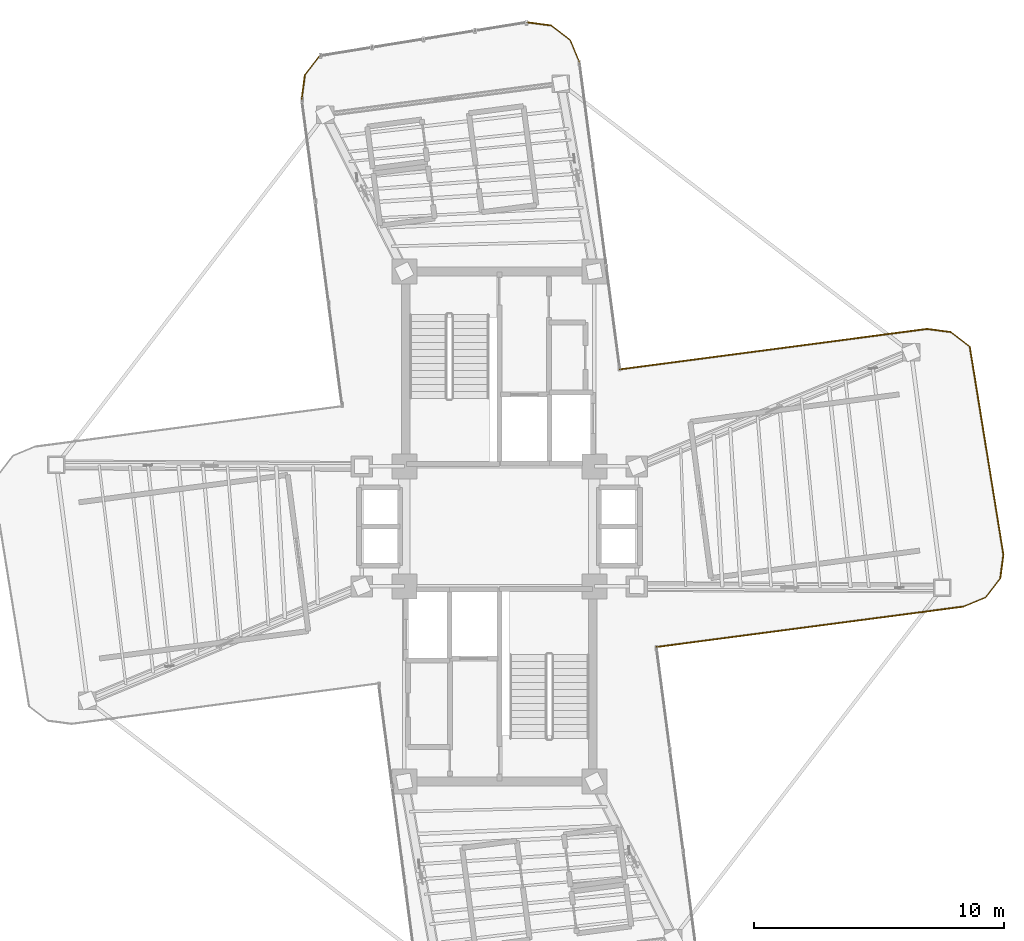
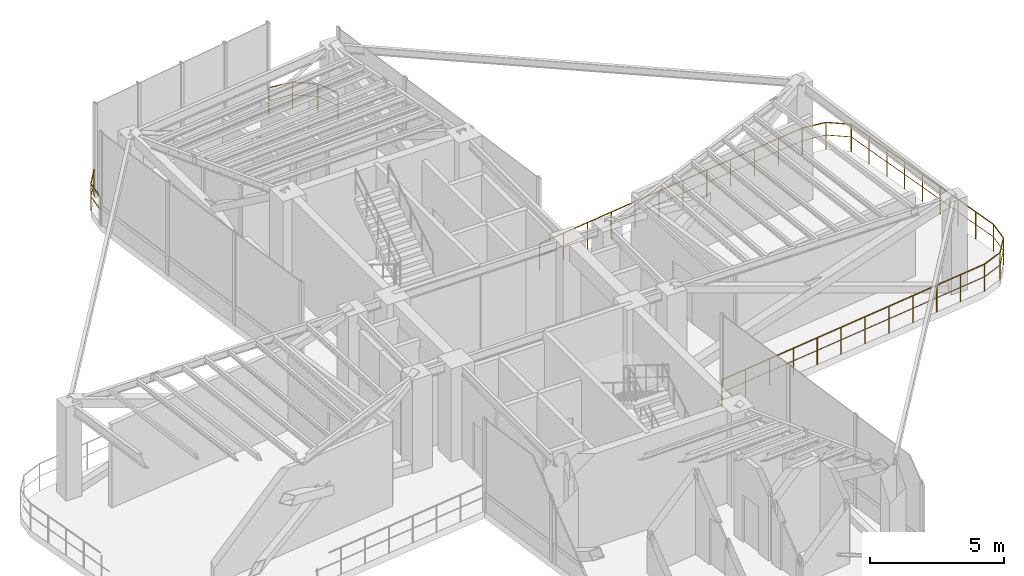
# One storey, part 17 of 17: 13 railings.
"""IFC4 building model written with IfcOpenShell, lengths in metres."""

from ifc_helpers import new_model, si_unit, direction, frame, origin, origin_2d, place, context, subcontext, project, spatial, circle, extrude, material, type_object, element, save


model = new_model("IFC4")

# Units and contexts
model_context = context("Model", 3, precision=1e-05, world=origin(), true_north=direction((0.0, 1.0)))
body_context = subcontext(model_context, "Body", "Model", "MODEL_VIEW")
ifc_project = project(units=[si_unit("LENGTHUNIT", "METRE"), si_unit("AREAUNIT", "SQUARE_METRE"), si_unit("VOLUMEUNIT", "CUBIC_METRE"), si_unit("PLANEANGLEUNIT", "RADIAN"), si_unit("MASSUNIT", "GRAM", prefix="KILO")], contexts=[model_context])

# Site, building, storey
site_placement = place(None, origin())
site = spatial("IfcSite", under=ifc_project, at=site_placement, CompositionType="ELEMENT")
building_placement = place(site_placement, origin())
building = spatial("IfcBuilding", under=site, at=building_placement, Name="Sahyath Konkavel Grand Hotel", CompositionType="ELEMENT")
storey_placement = place(building_placement, frame((0.0, 0.0, 264.60009765625)))
storey = spatial("IfcBuildingStorey", under=building, at=storey_placement, Name="L74", CompositionType="ELEMENT", Elevation=264.60009765625)

# Railings
ifc_material = material(Name="Warm Buff Sandstone & Bronze Balustrade", Category="masonry")
railing_type = type_object("IfcRailingType", Name="RLG-TERR-1250", PredefinedType="BALUSTRADE", material=ifc_material)
railing_1_placement = place(storey_placement, frame((6.282958984375, -4.821044921875, 0.0)))
element("IfcRailing", 1, at=railing_1_placement, inside=storey, type_object=railing_type, Name="L74 Fire Refuge Perimeter Guard 0", PredefinedType="BALUSTRADE", context=body_context, shape_type="SweptSolid", body=[
    extrude(circle(Radius=0.02392578125, at=origin_2d()), frame((0.001953125, 0.000244140625, 1.22607421875), z_axis=(0.991445104682, 0.1305243441, 0.0), x_axis=(-0.1305243441, 0.991445104682, 0.0)), (0.0, 0.0, 1.0), 12.385986328125),
    extrude(circle(Radius=0.01416015625, at=origin_2d()), frame((0.001953125, 0.000244140625, 0.64990234375), z_axis=(0.991445104682, 0.1305243441, 0.0), x_axis=(-0.1305243441, 0.991445104682, 0.0)), (0.0, 0.0, 1.0), 12.385986328125),
    extrude(circle(Radius=0.02099609375, at=origin_2d()), origin(), (0.0, 0.0, 1.0), 1.201904296875),
    extrude(circle(Radius=0.02099609375, at=origin_2d()), frame((1.11669921875, 0.14697265625, 0.0)), (0.0, 0.0, 1.0), 1.201904296875),
    extrude(circle(Radius=0.02099609375, at=origin_2d()), frame((2.2333984375, 0.2939453125, 0.0)), (0.0, 0.0, 1.0), 1.201904296875),
    extrude(circle(Radius=0.02099609375, at=origin_2d()), frame((3.35009765625, 0.441162109375, 0.0)), (0.0, 0.0, 1.0), 1.201904296875),
    extrude(circle(Radius=0.02099609375, at=origin_2d()), frame((4.466796875, 0.588134765625, 0.0)), (0.0, 0.0, 1.0), 1.201904296875),
    extrude(circle(Radius=0.02099609375, at=origin_2d()), frame((5.58349609375, 0.735107421875, 0.0)), (0.0, 0.0, 1.0), 1.201904296875),
    extrude(circle(Radius=0.02099609375, at=origin_2d()), frame((6.700439453125, 0.882080078125, 0.0)), (0.0, 0.0, 1.0), 1.201904296875),
    extrude(circle(Radius=0.02099609375, at=origin_2d()), frame((7.817138671875, 1.029052734375, 0.0)), (0.0, 0.0, 1.0), 1.201904296875),
    extrude(circle(Radius=0.02099609375, at=origin_2d()), frame((8.933837890625, 1.176025390625, 0.0)), (0.0, 0.0, 1.0), 1.201904296875),
    extrude(circle(Radius=0.02099609375, at=origin_2d()), frame((10.050537109375, 1.3232421875, 0.0)), (0.0, 0.0, 1.0), 1.201904296875),
    extrude(circle(Radius=0.02099609375, at=origin_2d()), frame((11.167236328125, 1.47021484375, 0.0)), (0.0, 0.0, 1.0), 1.201904296875),
    extrude(circle(Radius=0.02099609375, at=origin_2d()), frame((12.283935546875, 1.6171875, 0.0)), (0.0, 0.0, 1.0), 1.201904296875),
])
railing_2_placement = place(storey_placement, frame((18.56689453125, -3.203857421875, 0.0)))
element("IfcRailing", 2, at=railing_2_placement, inside=storey, type_object=railing_type, Name="L74 Fire Refuge Perimeter Guard 1", PredefinedType="BALUSTRADE", context=body_context, shape_type="SweptSolid", body=[
    extrude(circle(Radius=0.02392578125, at=origin_2d()), frame((0.001953125, 0.000732421875, 1.22607421875), z_axis=(0.923926759112, 0.382569397359, 0.0), x_axis=(-0.382569397359, 0.923926759112, 0.0)), (0.0, 0.0, 1.0), 0.953857421875),
    extrude(circle(Radius=0.01416015625, at=origin_2d()), frame((0.001953125, 0.000732421875, 0.64990234375), z_axis=(0.923926759112, 0.382569397359, 0.0), x_axis=(-0.382569397359, 0.923926759112, 0.0)), (0.0, 0.0, 1.0), 0.953857421875),
    extrude(circle(Radius=0.02099609375, at=origin_2d()), origin(), (0.0, 0.0, 1.0), 1.201904296875),
    extrude(circle(Radius=0.02099609375, at=origin_2d()), frame((0.885009765625, 0.366455078125, 0.0)), (0.0, 0.0, 1.0), 1.201904296875),
])
railing_3_placement = place(storey_placement, frame((19.451904296875, -2.83740234375, 0.0)))
element("IfcRailing", 3, at=railing_3_placement, inside=storey, type_object=railing_type, Name="L74 Fire Refuge Perimeter Guard 2", PredefinedType="BALUSTRADE", context=body_context, shape_type="SweptSolid", body=[
    extrude(circle(Radius=0.02392578125, at=origin_2d()), frame((0.001220703125, 0.001708984375, 1.22607421875), z_axis=(0.60861352168, 0.793466811674, 0.0), x_axis=(-0.793466811674, 0.60861352168, 0.0)), (0.0, 0.0, 1.0), 0.95361328125),
    extrude(circle(Radius=0.01416015625, at=origin_2d()), frame((0.001220703125, 0.001708984375, 0.64990234375), z_axis=(0.60861352168, 0.793466811674, 0.0), x_axis=(-0.793466811674, 0.60861352168, 0.0)), (0.0, 0.0, 1.0), 0.95361328125),
    extrude(circle(Radius=0.02099609375, at=origin_2d()), origin(), (0.0, 0.0, 1.0), 1.201904296875),
    extrude(circle(Radius=0.02099609375, at=origin_2d()), frame((0.582763671875, 0.759765625, 0.0)), (0.0, 0.0, 1.0), 1.201904296875),
])
railing_4_placement = place(storey_placement, frame((20.03466796875, -2.07763671875, 0.0)))
element("IfcRailing", 4, at=railing_4_placement, inside=storey, type_object=railing_type, Name="L74 Fire Refuge Perimeter Guard 3", PredefinedType="BALUSTRADE", context=body_context, shape_type="SweptSolid", body=[
    extrude(circle(Radius=0.02392578125, at=origin_2d()), frame((0.000244140625, 0.001953125, 1.22607421875), z_axis=(0.13056005306, 0.991440402921, 0.0), x_axis=(-0.991440402921, 0.13056005306, 0.0)), (0.0, 0.0, 1.0), 0.953369140625),
    extrude(circle(Radius=0.01416015625, at=origin_2d()), frame((0.000244140625, 0.001953125, 0.64990234375), z_axis=(0.13056005306, 0.991440402921, 0.0), x_axis=(-0.991440402921, 0.13056005306, 0.0)), (0.0, 0.0, 1.0), 0.953369140625),
    extrude(circle(Radius=0.02099609375, at=origin_2d()), origin(), (0.0, 0.0, 1.0), 1.201904296875),
    extrude(circle(Radius=0.02099609375, at=origin_2d()), frame((0.125, 0.94921875, 0.0)), (0.0, 0.0, 1.0), 1.201904296875),
])
railing_5_placement = place(storey_placement, frame((20.15966796875, -1.12841796875, 0.0)))
element("IfcRailing", 5, at=railing_5_placement, inside=storey, type_object=railing_type, Name="L74 Fire Refuge Perimeter Guard 4", PredefinedType="BALUSTRADE", context=body_context, shape_type="SweptSolid", body=[
    extrude(circle(Radius=0.02392578125, at=origin_2d()), frame((-0.000244140625, 0.001953125, 1.22607421875), z_axis=(-0.159624919615, 0.987177737309, 0.0), x_axis=(-0.987177737309, -0.159624919615, 0.0)), (0.0, 0.0, 1.0), 8.4248046875),
    extrude(circle(Radius=0.01416015625, at=origin_2d()), frame((-0.000244140625, 0.001953125, 0.64990234375), z_axis=(-0.159624919615, 0.987177737309, 0.0), x_axis=(-0.987177737309, -0.159624919615, 0.0)), (0.0, 0.0, 1.0), 8.4248046875),
    extrude(circle(Radius=0.02099609375, at=origin_2d()), origin(), (0.0, 0.0, 1.0), 1.201904296875),
    extrude(circle(Radius=0.02099609375, at=origin_2d()), frame((-0.168212890625, 1.0400390625, 0.0)), (0.0, 0.0, 1.0), 1.201904296875),
    extrude(circle(Radius=0.02099609375, at=origin_2d()), frame((-0.33642578125, 2.080078125, 0.0)), (0.0, 0.0, 1.0), 1.201904296875),
    extrude(circle(Radius=0.02099609375, at=origin_2d()), frame((-0.504638671875, 3.120361328125, 0.0)), (0.0, 0.0, 1.0), 1.201904296875),
    extrude(circle(Radius=0.02099609375, at=origin_2d()), frame((-0.6728515625, 4.160400390625, 0.0)), (0.0, 0.0, 1.0), 1.201904296875),
    extrude(circle(Radius=0.02099609375, at=origin_2d()), frame((-0.8408203125, 5.200439453125, 0.0)), (0.0, 0.0, 1.0), 1.201904296875),
    extrude(circle(Radius=0.02099609375, at=origin_2d()), frame((-1.009033203125, 6.24072265625, 0.0)), (0.0, 0.0, 1.0), 1.201904296875),
    extrude(circle(Radius=0.02099609375, at=origin_2d()), frame((-1.17724609375, 7.28076171875, 0.0)), (0.0, 0.0, 1.0), 1.201904296875),
    extrude(circle(Radius=0.02099609375, at=origin_2d()), frame((-1.345458984375, 8.32080078125, 0.0)), (0.0, 0.0, 1.0), 1.201904296875),
])
railing_6_placement = place(storey_placement, frame((18.814208984375, 7.1923828125, 0.0)))
element("IfcRailing", 6, at=railing_6_placement, inside=storey, type_object=railing_type, Name="L74 Fire Refuge Perimeter Guard 5", PredefinedType="BALUSTRADE", context=body_context, shape_type="SweptSolid", body=[
    extrude(circle(Radius=0.02392578125, at=origin_2d()), frame((-0.00146484375, 0.001220703125, 1.22607421875), z_axis=(-0.793249178392, 0.608897151398, 0.0), x_axis=(-0.608897151398, -0.793249178392, 0.0)), (0.0, 0.0, 1.0), 0.953369140625),
    extrude(circle(Radius=0.01416015625, at=origin_2d()), frame((-0.00146484375, 0.001220703125, 0.64990234375), z_axis=(-0.793249178392, 0.608897151398, 0.0), x_axis=(-0.608897151398, -0.793249178392, 0.0)), (0.0, 0.0, 1.0), 0.953369140625),
    extrude(circle(Radius=0.02099609375, at=origin_2d()), origin(), (0.0, 0.0, 1.0), 1.201904296875),
    extrude(circle(Radius=0.02099609375, at=origin_2d()), frame((-0.759521484375, 0.5830078125, 0.0)), (0.0, 0.0, 1.0), 1.201904296875),
])
railing_7_placement = place(storey_placement, frame((18.0546875, 7.775390625, 0.0)))
element("IfcRailing", 7, at=railing_7_placement, inside=storey, type_object=railing_type, Name="L74 Fire Refuge Perimeter Guard 6", PredefinedType="BALUSTRADE", context=body_context, shape_type="SweptSolid", body=[
    extrude(circle(Radius=0.02392578125, at=origin_2d()), frame((-0.001953125, 0.000244140625, 1.22607421875), z_axis=(-0.991449089759, 0.130494070426, 0.0), x_axis=(-0.130494070426, -0.991449089759, 0.0)), (0.0, 0.0, 1.0), 0.953857421875),
    extrude(circle(Radius=0.01416015625, at=origin_2d()), frame((-0.001953125, 0.000244140625, 0.64990234375), z_axis=(-0.991449089759, 0.130494070426, 0.0), x_axis=(-0.130494070426, -0.991449089759, 0.0)), (0.0, 0.0, 1.0), 0.953857421875),
    extrude(circle(Radius=0.02099609375, at=origin_2d()), origin(), (0.0, 0.0, 1.0), 1.201904296875),
    extrude(circle(Radius=0.02099609375, at=origin_2d()), frame((-0.94970703125, 0.125, 0.0)), (0.0, 0.0, 1.0), 1.201904296875),
])
railing_8_placement = place(storey_placement, frame((17.10498046875, 7.900390625, 0.0)))
element("IfcRailing", 8, at=railing_8_placement, inside=storey, type_object=railing_type, Name="L74 Fire Refuge Perimeter Guard 7", PredefinedType="BALUSTRADE", context=body_context, shape_type="SweptSolid", body=[
    extrude(circle(Radius=0.02392578125, at=origin_2d()), frame((-0.001953125, -0.000244140625, 1.22607421875), z_axis=(-0.991442554551, -0.130543713086, 0.0), x_axis=(0.130543713086, -0.991442554551, 0.0)), (0.0, 0.0, 1.0), 12.385986328125),
    extrude(circle(Radius=0.01416015625, at=origin_2d()), frame((-0.001953125, -0.000244140625, 0.64990234375), z_axis=(-0.991442554551, -0.130543713086, 0.0), x_axis=(0.130543713086, -0.991442554551, 0.0)), (0.0, 0.0, 1.0), 12.385986328125),
    extrude(circle(Radius=0.02099609375, at=origin_2d()), origin(), (0.0, 0.0, 1.0), 1.201904296875),
    extrude(circle(Radius=0.02099609375, at=origin_2d()), frame((-1.11669921875, -0.14697265625, 0.0)), (0.0, 0.0, 1.0), 1.201904296875),
    extrude(circle(Radius=0.02099609375, at=origin_2d()), frame((-2.2333984375, -0.294189453125, 0.0)), (0.0, 0.0, 1.0), 1.201904296875),
    extrude(circle(Radius=0.02099609375, at=origin_2d()), frame((-3.35009765625, -0.441162109375, 0.0)), (0.0, 0.0, 1.0), 1.201904296875),
    extrude(circle(Radius=0.02099609375, at=origin_2d()), frame((-4.466796875, -0.588134765625, 0.0)), (0.0, 0.0, 1.0), 1.201904296875),
    extrude(circle(Radius=0.02099609375, at=origin_2d()), frame((-5.58349609375, -0.735107421875, 0.0)), (0.0, 0.0, 1.0), 1.201904296875),
    extrude(circle(Radius=0.02099609375, at=origin_2d()), frame((-6.700439453125, -0.88232421875, 0.0)), (0.0, 0.0, 1.0), 1.201904296875),
    extrude(circle(Radius=0.02099609375, at=origin_2d()), frame((-7.817138671875, -1.029296875, 0.0)), (0.0, 0.0, 1.0), 1.201904296875),
    extrude(circle(Radius=0.02099609375, at=origin_2d()), frame((-8.933837890625, -1.17626953125, 0.0)), (0.0, 0.0, 1.0), 1.201904296875),
    extrude(circle(Radius=0.02099609375, at=origin_2d()), frame((-10.050537109375, -1.3232421875, 0.0)), (0.0, 0.0, 1.0), 1.201904296875),
    extrude(circle(Radius=0.02099609375, at=origin_2d()), frame((-11.167236328125, -1.470458984375, 0.0)), (0.0, 0.0, 1.0), 1.201904296875),
    extrude(circle(Radius=0.02099609375, at=origin_2d()), frame((-12.283935546875, -1.617431640625, 0.0)), (0.0, 0.0, 1.0), 1.201904296875),
])
railing_9_placement = place(storey_placement, frame((3.203857421875, 18.56689453125, 0.0)))
element("IfcRailing", 9, at=railing_9_placement, inside=storey, type_object=railing_type, Name="L74 Fire Refuge Perimeter Guard 9", PredefinedType="BALUSTRADE", context=body_context, shape_type="SweptSolid", body=[
    extrude(circle(Radius=0.02392578125, at=origin_2d()), frame((-0.000732421875, 0.001953125, 1.22607421875), z_axis=(-0.382569397359, 0.923926759112, 0.0), x_axis=(-0.923926759112, -0.382569397359, 0.0)), (0.0, 0.0, 1.0), 0.953857421875),
    extrude(circle(Radius=0.01416015625, at=origin_2d()), frame((-0.000732421875, 0.001953125, 0.64990234375), z_axis=(-0.382569397359, 0.923926759112, 0.0), x_axis=(-0.923926759112, -0.382569397359, 0.0)), (0.0, 0.0, 1.0), 0.953857421875),
    extrude(circle(Radius=0.02099609375, at=origin_2d()), origin(), (0.0, 0.0, 1.0), 1.201904296875),
    extrude(circle(Radius=0.02099609375, at=origin_2d()), frame((-0.366455078125, 0.885009765625, 0.0)), (0.0, 0.0, 1.0), 1.201904296875),
])
railing_10_placement = place(storey_placement, frame((2.83740234375, 19.451904296875, 0.0)))
element("IfcRailing", 10, at=railing_10_placement, inside=storey, type_object=railing_type, Name="L74 Fire Refuge Perimeter Guard 10", PredefinedType="BALUSTRADE", context=body_context, shape_type="SweptSolid", body=[
    extrude(circle(Radius=0.02392578125, at=origin_2d()), frame((-0.001708984375, 0.001220703125, 1.22607421875), z_axis=(-0.793466811674, 0.60861352168, 0.0), x_axis=(-0.60861352168, -0.793466811674, 0.0)), (0.0, 0.0, 1.0), 0.95361328125),
    extrude(circle(Radius=0.01416015625, at=origin_2d()), frame((-0.001708984375, 0.001220703125, 0.64990234375), z_axis=(-0.793466811674, 0.60861352168, 0.0), x_axis=(-0.60861352168, -0.793466811674, 0.0)), (0.0, 0.0, 1.0), 0.95361328125),
    extrude(circle(Radius=0.02099609375, at=origin_2d()), origin(), (0.0, 0.0, 1.0), 1.201904296875),
    extrude(circle(Radius=0.02099609375, at=origin_2d()), frame((-0.759765625, 0.582763671875, 0.0)), (0.0, 0.0, 1.0), 1.201904296875),
])
railing_11_placement = place(storey_placement, frame((2.07763671875, 20.03466796875, 0.0)))
element("IfcRailing", 11, at=railing_11_placement, inside=storey, type_object=railing_type, Name="L74 Fire Refuge Perimeter Guard 11", PredefinedType="BALUSTRADE", context=body_context, shape_type="SweptSolid", body=[
    extrude(circle(Radius=0.02392578125, at=origin_2d()), frame((-0.001953125, 0.000244140625, 1.22607421875), z_axis=(-0.991440402921, 0.13056005306, 0.0), x_axis=(-0.13056005306, -0.991440402921, 0.0)), (0.0, 0.0, 1.0), 0.953369140625),
    extrude(circle(Radius=0.01416015625, at=origin_2d()), frame((-0.001953125, 0.000244140625, 0.64990234375), z_axis=(-0.991440402921, 0.13056005306, 0.0), x_axis=(-0.13056005306, -0.991440402921, 0.0)), (0.0, 0.0, 1.0), 0.953369140625),
    extrude(circle(Radius=0.02099609375, at=origin_2d()), origin(), (0.0, 0.0, 1.0), 1.201904296875),
    extrude(circle(Radius=0.02099609375, at=origin_2d()), frame((-0.94921875, 0.125, 0.0)), (0.0, 0.0, 1.0), 1.201904296875),
])
railing_12_placement = place(storey_placement, frame((-7.1923828125, 18.814208984375, 0.0)))
element("IfcRailing", 12, at=railing_12_placement, inside=storey, type_object=railing_type, Name="L74 Fire Refuge Perimeter Guard 13", PredefinedType="BALUSTRADE", context=body_context, shape_type="SweptSolid", body=[
    extrude(circle(Radius=0.02392578125, at=origin_2d()), frame((-0.001220703125, -0.00146484375, 1.22607421875), z_axis=(-0.608897151398, -0.793249178392, 0.0), x_axis=(0.793249178392, -0.608897151398, 0.0)), (0.0, 0.0, 1.0), 0.953369140625),
    extrude(circle(Radius=0.01416015625, at=origin_2d()), frame((-0.001220703125, -0.00146484375, 0.64990234375), z_axis=(-0.608897151398, -0.793249178392, 0.0), x_axis=(0.793249178392, -0.608897151398, 0.0)), (0.0, 0.0, 1.0), 0.953369140625),
    extrude(circle(Radius=0.02099609375, at=origin_2d()), origin(), (0.0, 0.0, 1.0), 1.201904296875),
    extrude(circle(Radius=0.02099609375, at=origin_2d()), frame((-0.5830078125, -0.759521484375, 0.0)), (0.0, 0.0, 1.0), 1.201904296875),
])
railing_13_placement = place(storey_placement, frame((-7.775390625, 18.0546875, 0.0)))
element("IfcRailing", 13, at=railing_13_placement, inside=storey, type_object=railing_type, Name="L74 Fire Refuge Perimeter Guard 14", PredefinedType="BALUSTRADE", context=body_context, shape_type="SweptSolid", body=[
    extrude(circle(Radius=0.02392578125, at=origin_2d()), frame((-0.000244140625, -0.001953125, 1.22607421875), z_axis=(-0.130494070426, -0.991449089759, 0.0), x_axis=(0.991449089759, -0.130494070426, 0.0)), (0.0, 0.0, 1.0), 0.953857421875),
    extrude(circle(Radius=0.01416015625, at=origin_2d()), frame((-0.000244140625, -0.001953125, 0.64990234375), z_axis=(-0.130494070426, -0.991449089759, 0.0), x_axis=(0.991449089759, -0.130494070426, 0.0)), (0.0, 0.0, 1.0), 0.953857421875),
    extrude(circle(Radius=0.02099609375, at=origin_2d()), origin(), (0.0, 0.0, 1.0), 1.201904296875),
    extrude(circle(Radius=0.02099609375, at=origin_2d()), frame((-0.125, -0.94970703125, 0.0)), (0.0, 0.0, 1.0), 1.201904296875),
])

save(model, "model.ifc")
